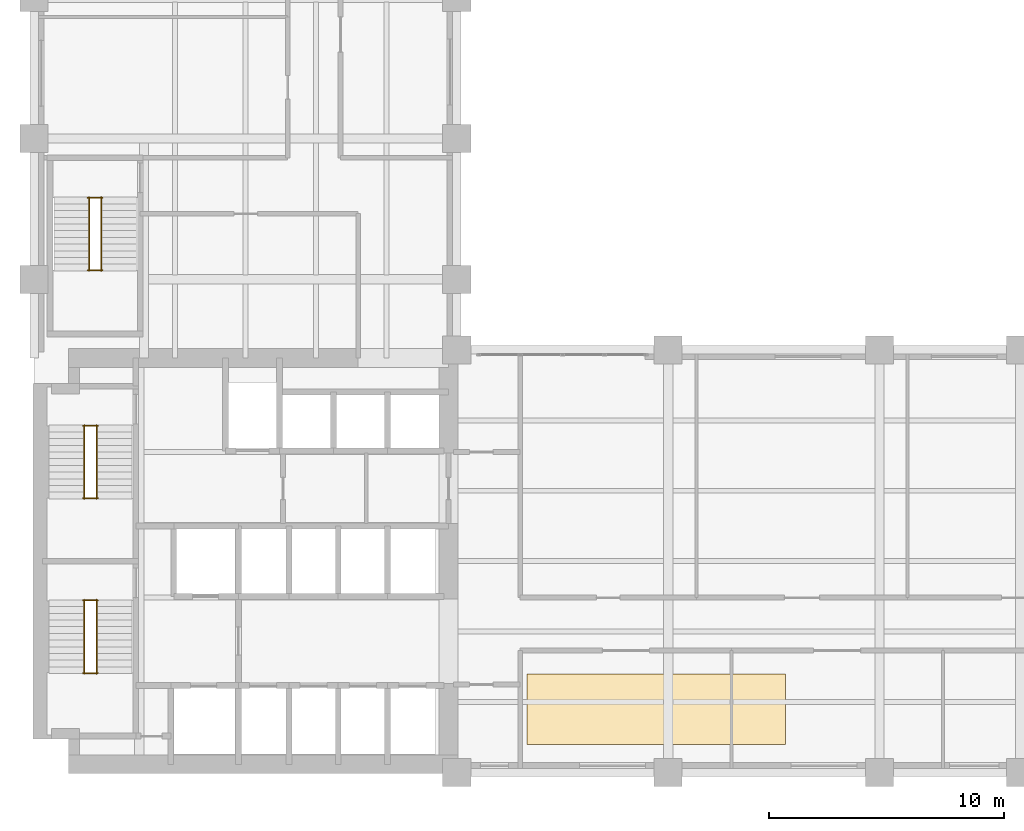
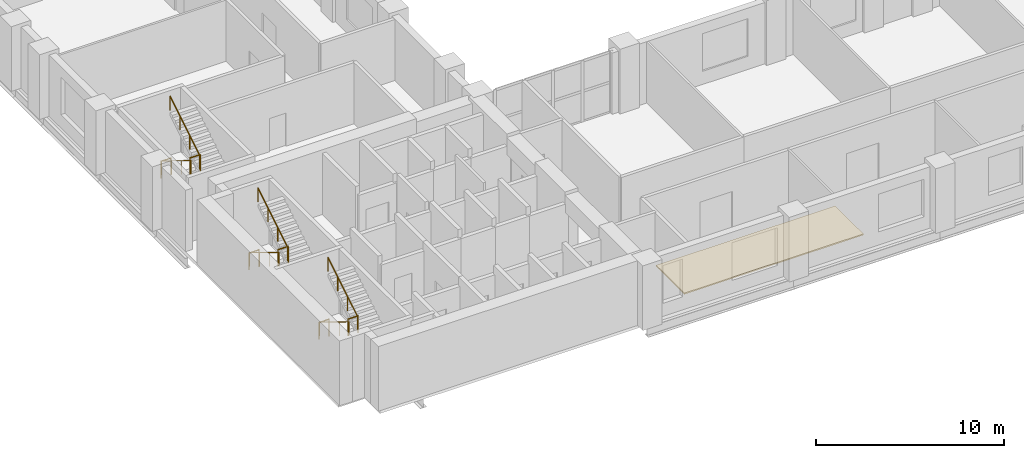
# One storey, part 8 of 8: 12 railings, 1 covering.
"""IFC4 building model written with IfcOpenShell, lengths in metres."""

from ifc_helpers import new_model, si_unit, direction, frame, origin, origin_2d, place, context, subcontext, project, spatial, polyline, circle, outline, extrude, material, layer, layer_set, type_object, element, save


model = new_model("IFC4")

# Units and contexts
model_context = context("Model", 3, precision=1e-05, world=origin(), true_north=direction((0.0, 1.0)))
body_context = subcontext(model_context, "Body", "Model", "MODEL_VIEW")
ifc_project = project(units=[si_unit("LENGTHUNIT", "METRE"), si_unit("AREAUNIT", "SQUARE_METRE"), si_unit("VOLUMEUNIT", "CUBIC_METRE"), si_unit("PLANEANGLEUNIT", "RADIAN"), si_unit("MASSUNIT", "GRAM", prefix="KILO")], contexts=[model_context])

# Site, building, storey
site_placement = place(None, origin())
site = spatial("IfcSite", under=ifc_project, at=site_placement, CompositionType="ELEMENT")
building_placement = place(site_placement, origin())
building = spatial("IfcBuilding", under=site, at=building_placement, Name="Mawjdan Bourse Tower", CompositionType="ELEMENT")
storey_placement = place(building_placement, frame((0.0, 0.0, 25.800048828125)))
storey = spatial("IfcBuildingStorey", under=building, at=storey_placement, Name="L05", CompositionType="ELEMENT", Elevation=25.800048828125)

# Covering
ifc_material_1 = material(Name="Calcium Sulphate Antistatic Raised Floor Tile")
ifc_layer = layer(ifc_material_1, 0.080078125)
ifc_layer_set = layer_set([ifc_layer], Name="Calcium Sulphate Antistatic Raised Floor Tile")
covering_type = type_object("IfcCoveringType", Name="COV-FLR-450", PredefinedType="FLOORING", material=ifc_layer_set)
covering_placement = place(storey_placement, origin())
element("IfcCovering", 1, at=covering_placement, inside=storey, type_object=covering_type, Name="L05 Antistatic Raised Access Trading Floor", PredefinedType="FLOORING", context=body_context, shape_type="SweptSolid", body=[
    extrude(outline(polyline([(27.0, 4.199951171875), (38.0, 4.199951171875), (38.0, 7.199951171875), (27.0, 7.199951171875), (27.0, 4.199951171875)])), origin(), (0.0, 0.0, 1.0), 0.079833984375),
])

# Railings
ifc_material_2 = material(Name="Structural Steel S355", Category="steel")
railing_type_1 = type_object("IfcRailingType", Name="RLG-GRD-1100", PredefinedType="GUARDRAIL", material=ifc_material_2)
for number, where, name in (
    (2, (8.090087890625, 7.235107421875, 2.099853515625), "L05 ST1 Landing Guardrail GL-MID"),
    (3, (8.090087890625, 10.330078125, 0.0), "L05 ST1 Landing Guardrail GL-BOT"),
    (4, (8.090087890625, 14.675048828125, 2.099853515625), "L05 ST2 Landing Guardrail GL-MID"),
    (5, (8.090087890625, 17.77001953125, 0.0), "L05 ST2 Landing Guardrail GL-BOT"),
    (6, (8.2900390625, 24.385009765625, 2.099853515625), "L05 ST3 Landing Guardrail GL-MID"),
    (7, (8.2900390625, 27.47998046875, 0.0), "L05 ST3 Landing Guardrail GL-BOT"),
):
    element("IfcRailing", number, at=place(storey_placement, frame(where)), inside=storey, type_object=railing_type_1, Name=name, PredefinedType="GUARDRAIL", context=body_context, shape_type="SweptSolid", body=[
        extrude(circle(Radius=0.02490234375, at=origin_2d()), frame((0.0, 0.0, 1.0751953125), z_axis=(1.0, 0.0, 0.0), x_axis=(0.0, 1.0, 0.0)), (0.0, 0.0, 1.0), 0.619873046875),
        extrude(circle(Radius=0.02099609375, at=origin_2d()), origin(), (0.0, 0.0, 1.0), 1.050048828125),
        extrude(circle(Radius=0.02099609375, at=origin_2d()), frame((0.619873046875, 0.0, 0.0)), (0.0, 0.0, 1.0), 1.050048828125),
    ])
ifc_material_3 = material(Name="Brushed Stainless Steel", Category="steel")
railing_type_2 = type_object("IfcRailingType", Name="RLG-HND-920", PredefinedType="HANDRAIL", material=ifc_material_3)
railing_1_placement = place(storey_placement, frame((8.139892578125, 10.35009765625, 0.175048828125)))
element("IfcRailing", 8, at=railing_1_placement, inside=storey, type_object=railing_type_2, Name="L05 ST1 Flight Handrail HR1", PredefinedType="HANDRAIL", context=body_context, shape_type="SweptSolid", body=[
    extrude(circle(Radius=0.0224609375, at=origin_2d()), frame((0.0, 0.0, 0.8974609375), z_axis=(0.0, -0.852195625947, 0.523223293744), x_axis=(1.0, 0.0, 0.0)), (0.0, 0.0, 1.0), 3.6787109375),
    extrude(circle(Radius=0.01904296875, at=origin_2d()), origin(), (0.0, 0.0, 1.0), 0.875),
    extrude(circle(Radius=0.01904296875, at=origin_2d()), frame((0.0, -1.044921875, 0.6416015625)), (0.0, 0.0, 1.0), 0.875),
    extrude(circle(Radius=0.01904296875, at=origin_2d()), frame((0.0, -2.090087890625, 1.283203125)), (0.0, 0.0, 1.0), 0.875),
    extrude(circle(Radius=0.01904296875, at=origin_2d()), frame((0.0, -3.135009765625, 1.9248046875)), (0.0, 0.0, 1.0), 0.875),
])
railing_2_placement = place(storey_placement, frame((8.659912109375, 7.215087890625, 2.27490234375)))
element("IfcRailing", 9, at=railing_2_placement, inside=storey, type_object=railing_type_2, Name="L05 ST1 Flight Handrail HR2", PredefinedType="HANDRAIL", context=body_context, shape_type="SweptSolid", body=[
    extrude(circle(Radius=0.0224609375, at=origin_2d()), frame((0.0, 0.0, 0.8974609375), z_axis=(0.0, 0.852166034122, 0.523271488128), x_axis=(-1.0, 0.0, 0.0)), (0.0, 0.0, 1.0), 3.678955078125),
    extrude(circle(Radius=0.01904296875, at=origin_2d()), origin(), (0.0, 0.0, 1.0), 0.875),
    extrude(circle(Radius=0.01904296875, at=origin_2d()), frame((0.0, 1.044921875, 0.6416015625)), (0.0, 0.0, 1.0), 0.875),
    extrude(circle(Radius=0.01904296875, at=origin_2d()), frame((0.0, 2.090087890625, 1.283447265625)), (0.0, 0.0, 1.0), 0.875),
    extrude(circle(Radius=0.01904296875, at=origin_2d()), frame((0.0, 3.135009765625, 1.925048828125)), (0.0, 0.0, 1.0), 0.875),
])
railing_3_placement = place(storey_placement, frame((8.139892578125, 17.7900390625, 0.175048828125)))
element("IfcRailing", 10, at=railing_3_placement, inside=storey, type_object=railing_type_2, Name="L05 ST2 Flight Handrail HR1", PredefinedType="HANDRAIL", context=body_context, shape_type="SweptSolid", body=[
    extrude(circle(Radius=0.0224609375, at=origin_2d()), frame((0.0, 0.0, 0.8974609375), z_axis=(0.0, -0.852195625947, 0.523223293744), x_axis=(1.0, 0.0, 0.0)), (0.0, 0.0, 1.0), 3.6787109375),
    extrude(circle(Radius=0.01904296875, at=origin_2d()), origin(), (0.0, 0.0, 1.0), 0.875),
    extrude(circle(Radius=0.01904296875, at=origin_2d()), frame((0.0, -1.044921875, 0.6416015625)), (0.0, 0.0, 1.0), 0.875),
    extrude(circle(Radius=0.01904296875, at=origin_2d()), frame((0.0, -2.090087890625, 1.283203125)), (0.0, 0.0, 1.0), 0.875),
    extrude(circle(Radius=0.01904296875, at=origin_2d()), frame((0.0, -3.135009765625, 1.9248046875)), (0.0, 0.0, 1.0), 0.875),
])
railing_4_placement = place(storey_placement, frame((8.659912109375, 14.655029296875, 2.27490234375)))
element("IfcRailing", 11, at=railing_4_placement, inside=storey, type_object=railing_type_2, Name="L05 ST2 Flight Handrail HR2", PredefinedType="HANDRAIL", context=body_context, shape_type="SweptSolid", body=[
    extrude(circle(Radius=0.0224609375, at=origin_2d()), frame((0.0, 0.0, 0.8974609375), z_axis=(0.0, 0.852166034122, 0.523271488128), x_axis=(-1.0, 0.0, 0.0)), (0.0, 0.0, 1.0), 3.678955078125),
    extrude(circle(Radius=0.01904296875, at=origin_2d()), origin(), (0.0, 0.0, 1.0), 0.875),
    extrude(circle(Radius=0.01904296875, at=origin_2d()), frame((0.0, 1.044921875, 0.6416015625)), (0.0, 0.0, 1.0), 0.875),
    extrude(circle(Radius=0.01904296875, at=origin_2d()), frame((0.0, 2.090087890625, 1.283447265625)), (0.0, 0.0, 1.0), 0.875),
    extrude(circle(Radius=0.01904296875, at=origin_2d()), frame((0.0, 3.135009765625, 1.925048828125)), (0.0, 0.0, 1.0), 0.875),
])
railing_5_placement = place(storey_placement, frame((8.340087890625, 27.5, 0.175048828125)))
element("IfcRailing", 12, at=railing_5_placement, inside=storey, type_object=railing_type_2, Name="L05 ST3 Flight Handrail HR1", PredefinedType="HANDRAIL", context=body_context, shape_type="SweptSolid", body=[
    extrude(circle(Radius=0.0224609375, at=origin_2d()), frame((0.0, 0.0, 0.8974609375), z_axis=(0.0, -0.852195625947, 0.523223293744), x_axis=(1.0, 0.0, 0.0)), (0.0, 0.0, 1.0), 3.6787109375),
    extrude(circle(Radius=0.01904296875, at=origin_2d()), origin(), (0.0, 0.0, 1.0), 0.875),
    extrude(circle(Radius=0.01904296875, at=origin_2d()), frame((0.0, -1.044921875, 0.6416015625)), (0.0, 0.0, 1.0), 0.875),
    extrude(circle(Radius=0.01904296875, at=origin_2d()), frame((0.0, -2.090087890625, 1.283203125)), (0.0, 0.0, 1.0), 0.875),
    extrude(circle(Radius=0.01904296875, at=origin_2d()), frame((0.0, -3.135009765625, 1.9248046875)), (0.0, 0.0, 1.0), 0.875),
])
railing_6_placement = place(storey_placement, frame((8.860107421875, 24.364990234375, 2.27490234375)))
element("IfcRailing", 13, at=railing_6_placement, inside=storey, type_object=railing_type_2, Name="L05 ST3 Flight Handrail HR2", PredefinedType="HANDRAIL", context=body_context, shape_type="SweptSolid", body=[
    extrude(circle(Radius=0.0224609375, at=origin_2d()), frame((0.0, 0.0, 0.8974609375), z_axis=(0.0, 0.852166034122, 0.523271488128), x_axis=(-1.0, 0.0, 0.0)), (0.0, 0.0, 1.0), 3.678955078125),
    extrude(circle(Radius=0.01904296875, at=origin_2d()), origin(), (0.0, 0.0, 1.0), 0.875),
    extrude(circle(Radius=0.01904296875, at=origin_2d()), frame((0.0, 1.044921875, 0.6416015625)), (0.0, 0.0, 1.0), 0.875),
    extrude(circle(Radius=0.01904296875, at=origin_2d()), frame((0.0, 2.090087890625, 1.283447265625)), (0.0, 0.0, 1.0), 0.875),
    extrude(circle(Radius=0.01904296875, at=origin_2d()), frame((0.0, 3.135009765625, 1.925048828125)), (0.0, 0.0, 1.0), 0.875),
])

save(model, "model.ifc")
